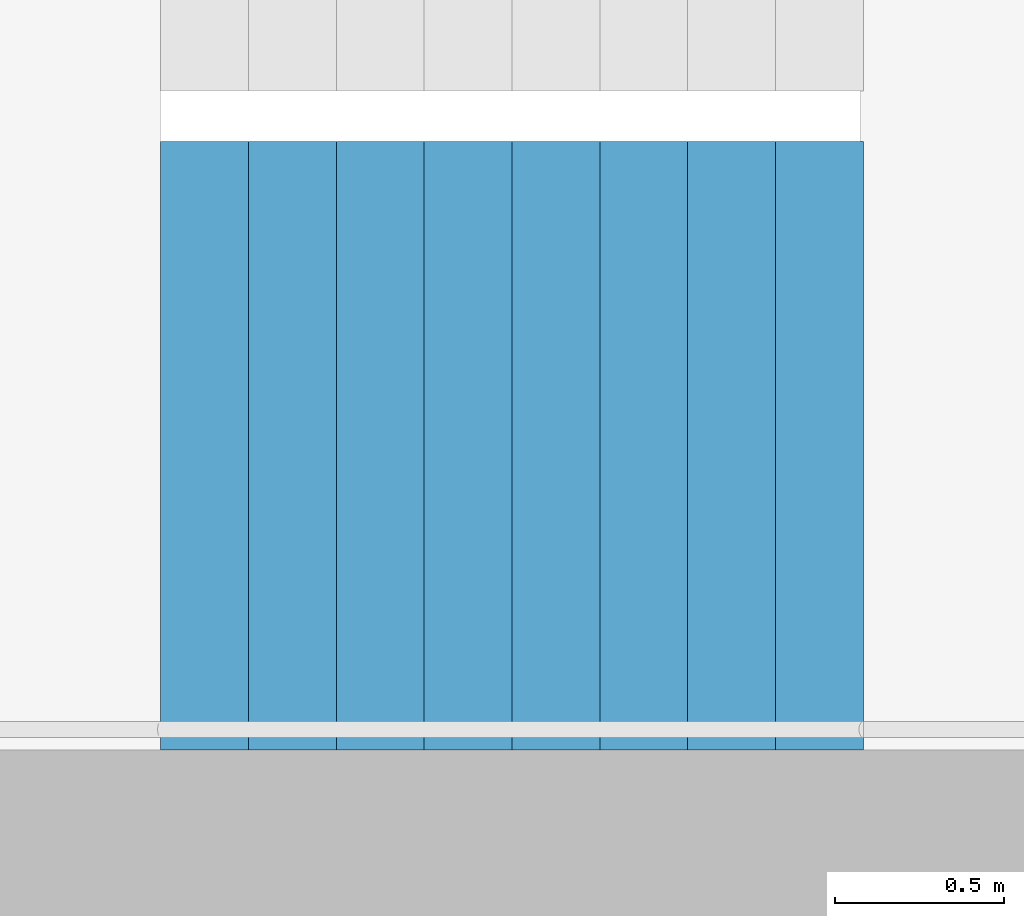
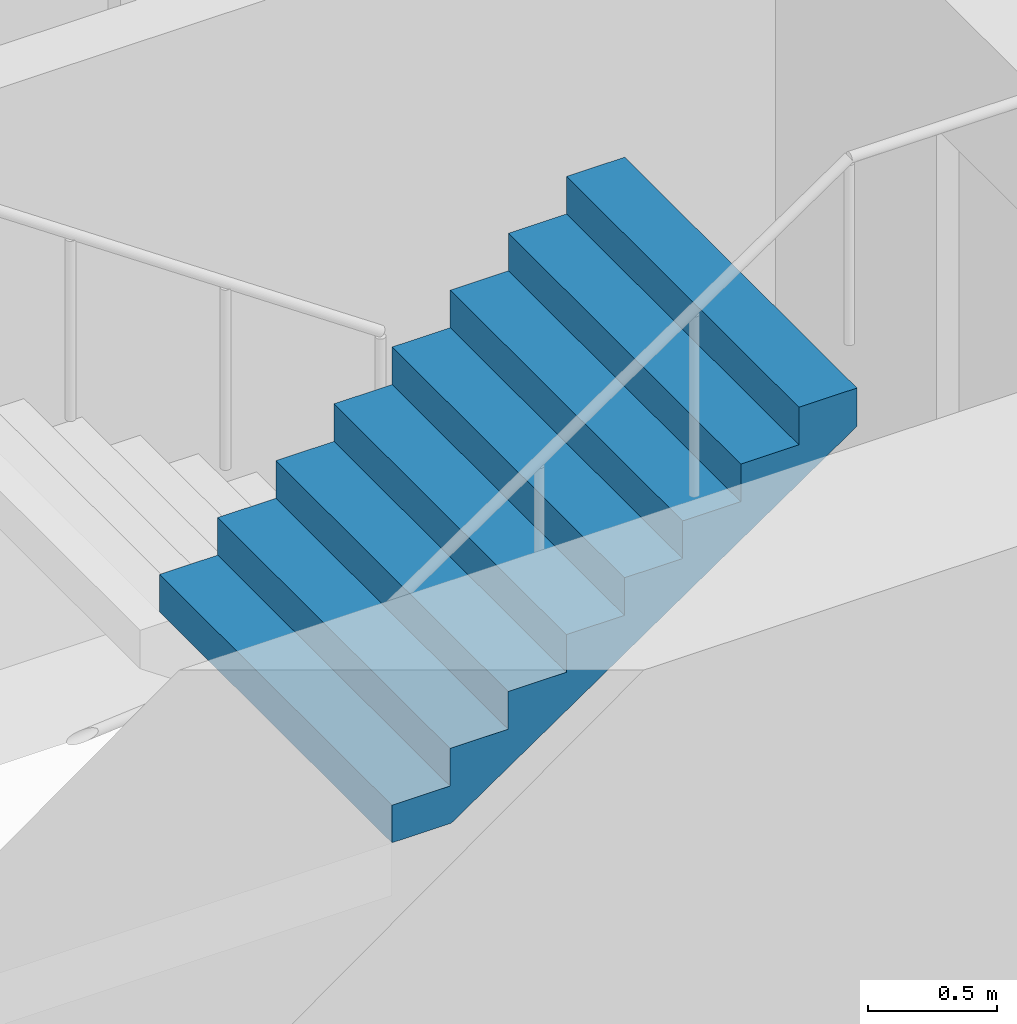
# One storey, part 17 of 29: 1 stair flight, 1 element without a shape of its own.
"""IFC4 building model written with IfcOpenShell, lengths in metres."""

from ifc_helpers import new_model, si_unit, direction, frame, origin, place, context, subcontext, project, spatial, triangles, material, type_object, element, aggregate, save


model = new_model("IFC4")

# Units and contexts
model_context = context("Model", 3, precision=1e-05, world=origin(), true_north=direction((0.0, 1.0)))
body_context = subcontext(model_context, "Body", "Model", "MODEL_VIEW")
ifc_project = project(units=[si_unit("LENGTHUNIT", "METRE"), si_unit("AREAUNIT", "SQUARE_METRE"), si_unit("VOLUMEUNIT", "CUBIC_METRE"), si_unit("PLANEANGLEUNIT", "RADIAN"), si_unit("MASSUNIT", "GRAM", prefix="KILO")], contexts=[model_context])

# Site, building, storey
site_placement = place(None, origin())
site = spatial("IfcSite", under=ifc_project, at=site_placement, CompositionType="ELEMENT")
building_placement = place(site_placement, origin())
building = spatial("IfcBuilding", under=site, at=building_placement, Name="Hakoniwa Tower and Hamabe Station Hall", CompositionType="ELEMENT")
storey_placement = place(building_placement, frame((0.0, 0.0, 205.800048828125)))
storey = spatial("IfcBuildingStorey", under=building, at=storey_placement, Name="L58", CompositionType="ELEMENT", Elevation=205.800048828125)

# Stair, stair flight
ifc_material_1 = material(Name="Concrete C40", Category="concrete")
stair_type = type_object("IfcStairType", Name="ESCAPE STAIR 1800", PredefinedType="HALF_TURN_STAIR", material=ifc_material_1)
stair_placement = place(storey_placement, origin())
stair = element("IfcStair", 1, at=stair_placement, inside=storey, type_object=stair_type, Name="Escape stair ST-2 L58", PredefinedType="HALF_TURN_STAIR")
ifc_material_2 = material(Name="Concrete C40", Category="concrete")
stair_flight_type = type_object("IfcStairFlightType", Name="STAIR FLIGHT 1800", PredefinedType="STRAIGHT", material=ifc_material_2)
stair_flight_placement = place(storey_placement, frame((-25.47998046875, -6.60009765625, 1.599853515625), z_axis=(0.0, 0.0, 1.0), x_axis=(1.0, 0.0, 0.0)))
stair_flight = element("IfcStairFlight", 2, at=stair_flight_placement, type_object=stair_flight_type, Name="ST-2 flight 2", NumberOfRisers=9, NumberOfTreads=8, PredefinedType="STRAIGHT", RiserHeight=0.177777778, TreadLength=0.26, context=body_context, shape_type="Tessellation", body=[
    triangles([(0.0, 0.89990234375, 0.0), (0.260009765625, 0.89990234375, 0.0), (0.265625, 0.89990234375, 0.0), (0.52001953125, 0.89990234375, 0.174072265625), (0.780029296875, 0.89990234375, 0.351806640625), (1.0400390625, 0.89990234375, 0.529541015625), (1.300048828125, 0.89990234375, 0.707275390625), (1.56005859375, 0.89990234375, 0.885009765625), (1.820068359375, 0.89990234375, 1.062744140625), (2.080078125, 0.89990234375, 1.24072265625), (2.080078125, 0.89990234375, 1.422119140625), (1.820068359375, 0.89990234375, 1.422119140625), (1.820068359375, 0.89990234375, 1.244384765625), (1.56005859375, 0.89990234375, 1.244384765625), (1.56005859375, 0.89990234375, 1.066650390625), (1.300048828125, 0.89990234375, 1.066650390625), (1.300048828125, 0.89990234375, 0.888916015625), (1.0400390625, 0.89990234375, 0.888916015625), (1.0400390625, 0.89990234375, 0.711181640625), (0.780029296875, 0.89990234375, 0.711181640625), (0.780029296875, 0.89990234375, 0.533447265625), (0.52001953125, 0.89990234375, 0.533447265625), (0.52001953125, 0.89990234375, 0.35546875), (0.265625, 0.89990234375, 0.35546875), (0.260009765625, 0.89990234375, 0.35546875), (0.260009765625, 0.89990234375, 0.177734375), (0.0, 0.89990234375, 0.177734375), (0.0, 0.06005859375, 0.0), (0.260009765625, 0.06005859375, 0.0), (0.265625, 0.06005859375, 0.0), (0.52001953125, 0.06005859375, 0.174072265625), (0.780029296875, 0.06005859375, 0.351806640625), (1.0400390625, 0.06005859375, 0.529541015625), (1.300048828125, 0.06005859375, 0.707275390625), (1.56005859375, 0.06005859375, 0.885009765625), (1.820068359375, 0.06005859375, 1.062744140625), (2.080078125, 0.06005859375, 1.24072265625), (2.080078125, 0.06005859375, 1.422119140625), (1.820068359375, 0.06005859375, 1.422119140625), (1.820068359375, 0.06005859375, 1.244384765625), (1.56005859375, 0.06005859375, 1.244384765625), (1.56005859375, 0.06005859375, 1.066650390625), (1.300048828125, 0.06005859375, 1.066650390625), (1.300048828125, 0.06005859375, 0.888916015625), (1.0400390625, 0.06005859375, 0.888916015625), (1.0400390625, 0.06005859375, 0.711181640625), (0.780029296875, 0.06005859375, 0.711181640625), (0.780029296875, 0.06005859375, 0.533447265625), (0.52001953125, 0.06005859375, 0.533447265625), (0.52001953125, 0.06005859375, 0.35546875), (0.265625, 0.06005859375, 0.35546875), (0.260009765625, 0.06005859375, 0.35546875), (0.260009765625, 0.06005859375, 0.177734375), (0.0, 0.06005859375, 0.177734375), (0.0, 0.04296875, 0.0), (0.260009765625, 0.04296875, 0.0), (0.265625, 0.04296875, 0.0), (0.52001953125, 0.04296875, 0.174072265625), (0.780029296875, 0.04296875, 0.351806640625), (1.0400390625, 0.04296875, 0.529541015625), (1.300048828125, 0.04296875, 0.707275390625), (1.56005859375, 0.04296875, 0.885009765625), (1.820068359375, 0.04296875, 1.062744140625), (2.080078125, 0.04296875, 1.24072265625), (2.080078125, 0.04296875, 1.422119140625), (1.820068359375, 0.04296875, 1.422119140625), (1.820068359375, 0.04296875, 1.244384765625), (1.56005859375, 0.04296875, 1.244384765625), (1.56005859375, 0.04296875, 1.066650390625), (1.300048828125, 0.04296875, 1.066650390625), (1.300048828125, 0.04296875, 0.888916015625), (1.0400390625, 0.04296875, 0.888916015625), (1.0400390625, 0.04296875, 0.711181640625), (0.780029296875, 0.04296875, 0.711181640625), (0.780029296875, 0.04296875, 0.533447265625), (0.52001953125, 0.04296875, 0.533447265625), (0.52001953125, 0.04296875, 0.35546875), (0.265625, 0.04296875, 0.35546875), (0.260009765625, 0.04296875, 0.35546875), (0.260009765625, 0.04296875, 0.177734375), (0.0, 0.04296875, 0.177734375), (0.0, 0.025634765625, 0.0), (0.260009765625, 0.025634765625, 0.0), (0.265625, 0.025634765625, 0.0), (0.52001953125, 0.025634765625, 0.174072265625), (0.780029296875, 0.025634765625, 0.351806640625), (1.0400390625, 0.025634765625, 0.529541015625), (1.300048828125, 0.025634765625, 0.707275390625), (1.56005859375, 0.025634765625, 0.885009765625), (1.820068359375, 0.025634765625, 1.062744140625), (2.080078125, 0.025634765625, 1.24072265625), (2.080078125, 0.025634765625, 1.422119140625), (1.820068359375, 0.025634765625, 1.422119140625), (1.820068359375, 0.025634765625, 1.244384765625), (1.56005859375, 0.025634765625, 1.244384765625), (1.56005859375, 0.025634765625, 1.066650390625), (1.300048828125, 0.025634765625, 1.066650390625), (1.300048828125, 0.025634765625, 0.888916015625), (1.0400390625, 0.025634765625, 0.888916015625), (1.0400390625, 0.025634765625, 0.711181640625), (0.780029296875, 0.025634765625, 0.711181640625), (0.780029296875, 0.025634765625, 0.533447265625), (0.52001953125, 0.025634765625, 0.533447265625), (0.52001953125, 0.025634765625, 0.35546875), (0.265625, 0.025634765625, 0.35546875), (0.260009765625, 0.025634765625, 0.35546875), (0.260009765625, 0.025634765625, 0.177734375), (0.0, 0.025634765625, 0.177734375), (0.0, 0.008544921875, 0.0), (0.260009765625, 0.008544921875, 0.0), (0.265625, 0.008544921875, 0.0), (0.52001953125, 0.008544921875, 0.174072265625), (0.780029296875, 0.008544921875, 0.351806640625), (1.0400390625, 0.008544921875, 0.529541015625), (1.300048828125, 0.008544921875, 0.707275390625), (1.56005859375, 0.008544921875, 0.885009765625), (1.820068359375, 0.008544921875, 1.062744140625), (2.080078125, 0.008544921875, 1.24072265625), (2.080078125, 0.008544921875, 1.422119140625), (1.820068359375, 0.008544921875, 1.422119140625), (1.820068359375, 0.008544921875, 1.244384765625), (1.56005859375, 0.008544921875, 1.244384765625), (1.56005859375, 0.008544921875, 1.066650390625), (1.300048828125, 0.008544921875, 1.066650390625), (1.300048828125, 0.008544921875, 0.888916015625), (1.0400390625, 0.008544921875, 0.888916015625), (1.0400390625, 0.008544921875, 0.711181640625), (0.780029296875, 0.008544921875, 0.711181640625), (0.780029296875, 0.008544921875, 0.533447265625), (0.52001953125, 0.008544921875, 0.533447265625), (0.52001953125, 0.008544921875, 0.35546875), (0.265625, 0.008544921875, 0.35546875), (0.260009765625, 0.008544921875, 0.35546875), (0.260009765625, 0.008544921875, 0.177734375), (0.0, 0.008544921875, 0.177734375), (0.0, -0.008544921875, 0.0), (0.260009765625, -0.008544921875, 0.0), (0.265625, -0.008544921875, 0.0), (0.52001953125, -0.008544921875, 0.174072265625), (0.780029296875, -0.008544921875, 0.351806640625), (1.0400390625, -0.008544921875, 0.529541015625), (1.300048828125, -0.008544921875, 0.707275390625), (1.56005859375, -0.008544921875, 0.885009765625), (1.820068359375, -0.008544921875, 1.062744140625), (2.080078125, -0.008544921875, 1.24072265625), (2.080078125, -0.008544921875, 1.422119140625), (1.820068359375, -0.008544921875, 1.422119140625), (1.820068359375, -0.008544921875, 1.244384765625), (1.56005859375, -0.008544921875, 1.244384765625), (1.56005859375, -0.008544921875, 1.066650390625), (1.300048828125, -0.008544921875, 1.066650390625), (1.300048828125, -0.008544921875, 0.888916015625), (1.0400390625, -0.008544921875, 0.888916015625), (1.0400390625, -0.008544921875, 0.711181640625), (0.780029296875, -0.008544921875, 0.711181640625), (0.780029296875, -0.008544921875, 0.533447265625), (0.52001953125, -0.008544921875, 0.533447265625), (0.52001953125, -0.008544921875, 0.35546875), (0.265625, -0.008544921875, 0.35546875), (0.260009765625, -0.008544921875, 0.35546875), (0.260009765625, -0.008544921875, 0.177734375), (0.0, -0.008544921875, 0.177734375), (0.0, -0.025634765625, 0.0), (0.260009765625, -0.025634765625, 0.0), (0.265625, -0.025634765625, 0.0), (0.52001953125, -0.025634765625, 0.174072265625), (0.780029296875, -0.025634765625, 0.351806640625), (1.0400390625, -0.025634765625, 0.529541015625), (1.300048828125, -0.025634765625, 0.707275390625), (1.56005859375, -0.025634765625, 0.885009765625), (1.820068359375, -0.025634765625, 1.062744140625), (2.080078125, -0.025634765625, 1.24072265625), (2.080078125, -0.025634765625, 1.422119140625), (1.820068359375, -0.025634765625, 1.422119140625), (1.820068359375, -0.025634765625, 1.244384765625), (1.56005859375, -0.025634765625, 1.244384765625), (1.56005859375, -0.025634765625, 1.066650390625), (1.300048828125, -0.025634765625, 1.066650390625), (1.300048828125, -0.025634765625, 0.888916015625), (1.0400390625, -0.025634765625, 0.888916015625), (1.0400390625, -0.025634765625, 0.711181640625), (0.780029296875, -0.025634765625, 0.711181640625), (0.780029296875, -0.025634765625, 0.533447265625), (0.52001953125, -0.025634765625, 0.533447265625), (0.52001953125, -0.025634765625, 0.35546875), (0.265625, -0.025634765625, 0.35546875), (0.260009765625, -0.025634765625, 0.35546875), (0.260009765625, -0.025634765625, 0.177734375), (0.0, -0.025634765625, 0.177734375), (0.0, -0.04296875, 0.0), (0.260009765625, -0.04296875, 0.0), (0.265625, -0.04296875, 0.0), (0.52001953125, -0.04296875, 0.174072265625), (0.780029296875, -0.04296875, 0.351806640625), (1.0400390625, -0.04296875, 0.529541015625), (1.300048828125, -0.04296875, 0.707275390625), (1.56005859375, -0.04296875, 0.885009765625), (1.820068359375, -0.04296875, 1.062744140625), (2.080078125, -0.04296875, 1.24072265625), (2.080078125, -0.04296875, 1.422119140625), (1.820068359375, -0.04296875, 1.422119140625), (1.820068359375, -0.04296875, 1.244384765625), (1.56005859375, -0.04296875, 1.244384765625), (1.56005859375, -0.04296875, 1.066650390625), (1.300048828125, -0.04296875, 1.066650390625), (1.300048828125, -0.04296875, 0.888916015625), (1.0400390625, -0.04296875, 0.888916015625), (1.0400390625, -0.04296875, 0.711181640625), (0.780029296875, -0.04296875, 0.711181640625), (0.780029296875, -0.04296875, 0.533447265625), (0.52001953125, -0.04296875, 0.533447265625), (0.52001953125, -0.04296875, 0.35546875), (0.265625, -0.04296875, 0.35546875), (0.260009765625, -0.04296875, 0.35546875), (0.260009765625, -0.04296875, 0.177734375), (0.0, -0.04296875, 0.177734375), (0.0, -0.06005859375, 0.0), (0.260009765625, -0.06005859375, 0.0), (0.265625, -0.06005859375, 0.0), (0.52001953125, -0.06005859375, 0.174072265625), (0.780029296875, -0.06005859375, 0.351806640625), (1.0400390625, -0.06005859375, 0.529541015625), (1.300048828125, -0.06005859375, 0.707275390625), (1.56005859375, -0.06005859375, 0.885009765625), (1.820068359375, -0.06005859375, 1.062744140625), (2.080078125, -0.06005859375, 1.24072265625), (2.080078125, -0.06005859375, 1.422119140625), (1.820068359375, -0.06005859375, 1.422119140625), (1.820068359375, -0.06005859375, 1.244384765625), (1.56005859375, -0.06005859375, 1.244384765625), (1.56005859375, -0.06005859375, 1.066650390625), (1.300048828125, -0.06005859375, 1.066650390625), (1.300048828125, -0.06005859375, 0.888916015625), (1.0400390625, -0.06005859375, 0.888916015625), (1.0400390625, -0.06005859375, 0.711181640625), (0.780029296875, -0.06005859375, 0.711181640625), (0.780029296875, -0.06005859375, 0.533447265625), (0.52001953125, -0.06005859375, 0.533447265625), (0.52001953125, -0.06005859375, 0.35546875), (0.265625, -0.06005859375, 0.35546875), (0.260009765625, -0.06005859375, 0.35546875), (0.260009765625, -0.06005859375, 0.177734375), (0.0, -0.06005859375, 0.177734375), (0.0, -0.89990234375, 0.0), (0.260009765625, -0.89990234375, 0.0), (0.265625, -0.89990234375, 0.0), (0.52001953125, -0.89990234375, 0.174072265625), (0.780029296875, -0.89990234375, 0.351806640625), (1.0400390625, -0.89990234375, 0.529541015625), (1.300048828125, -0.89990234375, 0.707275390625), (1.56005859375, -0.89990234375, 0.885009765625), (1.820068359375, -0.89990234375, 1.062744140625), (2.080078125, -0.89990234375, 1.24072265625), (2.080078125, -0.89990234375, 1.422119140625), (1.820068359375, -0.89990234375, 1.422119140625), (1.820068359375, -0.89990234375, 1.244384765625), (1.56005859375, -0.89990234375, 1.244384765625), (1.56005859375, -0.89990234375, 1.066650390625), (1.300048828125, -0.89990234375, 1.066650390625), (1.300048828125, -0.89990234375, 0.888916015625), (1.0400390625, -0.89990234375, 0.888916015625), (1.0400390625, -0.89990234375, 0.711181640625), (0.780029296875, -0.89990234375, 0.711181640625), (0.780029296875, -0.89990234375, 0.533447265625), (0.52001953125, -0.89990234375, 0.533447265625), (0.52001953125, -0.89990234375, 0.35546875), (0.265625, -0.89990234375, 0.35546875), (0.260009765625, -0.89990234375, 0.35546875), (0.260009765625, -0.89990234375, 0.177734375), (0.0, -0.89990234375, 0.177734375)], [[2, 27, 26], [245, 269, 270], [2, 1, 27], [245, 270, 244], [3, 25, 24], [246, 267, 268], [3, 26, 25], [246, 268, 269], [3, 2, 26], [246, 269, 245], [4, 24, 23], [247, 266, 267], [4, 3, 24], [247, 267, 246], [5, 22, 21], [248, 264, 265], [5, 23, 22], [248, 265, 266], [5, 4, 23], [248, 266, 247], [6, 20, 19], [249, 262, 263], [6, 21, 20], [249, 263, 264], [6, 5, 21], [249, 264, 248], [7, 18, 17], [250, 260, 261], [7, 19, 18], [250, 261, 262], [7, 6, 19], [250, 262, 249], [8, 16, 15], [251, 258, 259], [8, 17, 16], [251, 259, 260], [8, 7, 17], [251, 260, 250], [9, 14, 13], [252, 256, 257], [9, 15, 14], [252, 257, 258], [9, 8, 15], [252, 258, 251], [10, 12, 11], [253, 254, 255], [10, 13, 12], [253, 255, 256], [10, 9, 13], [253, 256, 252], [1, 2, 29], [1, 29, 28], [28, 29, 56], [28, 56, 55], [55, 56, 83], [55, 83, 82], [82, 83, 110], [82, 110, 109], [109, 110, 137], [109, 137, 136], [136, 137, 164], [136, 164, 163], [163, 164, 191], [163, 191, 190], [190, 191, 218], [190, 218, 217], [217, 218, 245], [217, 245, 244], [2, 3, 30], [2, 30, 29], [29, 30, 57], [29, 57, 56], [56, 57, 84], [56, 84, 83], [83, 84, 111], [83, 111, 110], [110, 111, 138], [110, 138, 137], [137, 138, 165], [137, 165, 164], [164, 165, 192], [164, 192, 191], [191, 192, 219], [191, 219, 218], [218, 219, 246], [218, 246, 245], [3, 4, 31], [3, 31, 30], [30, 31, 58], [30, 58, 57], [57, 58, 85], [57, 85, 84], [84, 85, 112], [84, 112, 111], [111, 112, 139], [111, 139, 138], [138, 139, 166], [138, 166, 165], [165, 166, 193], [165, 193, 192], [192, 193, 220], [192, 220, 219], [219, 220, 247], [219, 247, 246], [4, 5, 32], [4, 32, 31], [31, 32, 59], [31, 59, 58], [58, 59, 86], [58, 86, 85], [85, 86, 113], [85, 113, 112], [112, 113, 140], [112, 140, 139], [139, 140, 167], [139, 167, 166], [166, 167, 194], [166, 194, 193], [193, 194, 221], [193, 221, 220], [220, 221, 248], [220, 248, 247], [5, 6, 33], [5, 33, 32], [32, 33, 60], [32, 60, 59], [59, 60, 87], [59, 87, 86], [86, 87, 114], [86, 114, 113], [113, 114, 141], [113, 141, 140], [140, 141, 168], [140, 168, 167], [167, 168, 195], [167, 195, 194], [194, 195, 222], [194, 222, 221], [221, 222, 249], [221, 249, 248], [6, 7, 34], [6, 34, 33], [33, 34, 61], [33, 61, 60], [60, 61, 88], [60, 88, 87], [87, 88, 115], [87, 115, 114], [114, 115, 142], [114, 142, 141], [141, 142, 169], [141, 169, 168], [168, 169, 196], [168, 196, 195], [195, 196, 223], [195, 223, 222], [222, 223, 250], [222, 250, 249], [7, 8, 35], [7, 35, 34], [34, 35, 62], [34, 62, 61], [61, 62, 89], [61, 89, 88], [88, 89, 116], [88, 116, 115], [115, 116, 143], [115, 143, 142], [142, 143, 170], [142, 170, 169], [169, 170, 197], [169, 197, 196], [196, 197, 224], [196, 224, 223], [223, 224, 251], [223, 251, 250], [8, 9, 36], [8, 36, 35], [35, 36, 63], [35, 63, 62], [62, 63, 90], [62, 90, 89], [89, 90, 117], [89, 117, 116], [116, 117, 144], [116, 144, 143], [143, 144, 171], [143, 171, 170], [170, 171, 198], [170, 198, 197], [197, 198, 225], [197, 225, 224], [224, 225, 252], [224, 252, 251], [9, 10, 37], [9, 37, 36], [36, 37, 64], [36, 64, 63], [63, 64, 91], [63, 91, 90], [90, 91, 118], [90, 118, 117], [117, 118, 145], [117, 145, 144], [144, 145, 172], [144, 172, 171], [171, 172, 199], [171, 199, 198], [198, 199, 226], [198, 226, 225], [225, 226, 253], [225, 253, 252], [10, 11, 38], [10, 38, 37], [37, 38, 65], [37, 65, 64], [64, 65, 92], [64, 92, 91], [91, 92, 119], [91, 119, 118], [118, 119, 146], [118, 146, 145], [145, 146, 173], [145, 173, 172], [172, 173, 200], [172, 200, 199], [199, 200, 227], [199, 227, 226], [226, 227, 254], [226, 254, 253], [11, 12, 39], [11, 39, 38], [38, 39, 66], [38, 66, 65], [65, 66, 93], [65, 93, 92], [92, 93, 120], [92, 120, 119], [119, 120, 147], [119, 147, 146], [146, 147, 174], [146, 174, 173], [173, 174, 201], [173, 201, 200], [200, 201, 228], [200, 228, 227], [227, 228, 255], [227, 255, 254], [12, 13, 40], [12, 40, 39], [39, 40, 67], [39, 67, 66], [66, 67, 94], [66, 94, 93], [93, 94, 121], [93, 121, 120], [120, 121, 148], [120, 148, 147], [147, 148, 175], [147, 175, 174], [174, 175, 202], [174, 202, 201], [201, 202, 229], [201, 229, 228], [228, 229, 256], [228, 256, 255], [13, 14, 41], [13, 41, 40], [40, 41, 68], [40, 68, 67], [67, 68, 95], [67, 95, 94], [94, 95, 122], [94, 122, 121], [121, 122, 149], [121, 149, 148], [148, 149, 176], [148, 176, 175], [175, 176, 203], [175, 203, 202], [202, 203, 230], [202, 230, 229], [229, 230, 257], [229, 257, 256], [14, 15, 42], [14, 42, 41], [41, 42, 69], [41, 69, 68], [68, 69, 96], [68, 96, 95], [95, 96, 123], [95, 123, 122], [122, 123, 150], [122, 150, 149], [149, 150, 177], [149, 177, 176], [176, 177, 204], [176, 204, 203], [203, 204, 231], [203, 231, 230], [230, 231, 258], [230, 258, 257], [15, 16, 43], [15, 43, 42], [42, 43, 70], [42, 70, 69], [69, 70, 97], [69, 97, 96], [96, 97, 124], [96, 124, 123], [123, 124, 151], [123, 151, 150], [150, 151, 178], [150, 178, 177], [177, 178, 205], [177, 205, 204], [204, 205, 232], [204, 232, 231], [231, 232, 259], [231, 259, 258], [16, 17, 44], [16, 44, 43], [43, 44, 71], [43, 71, 70], [70, 71, 98], [70, 98, 97], [97, 98, 125], [97, 125, 124], [124, 125, 152], [124, 152, 151], [151, 152, 179], [151, 179, 178], [178, 179, 206], [178, 206, 205], [205, 206, 233], [205, 233, 232], [232, 233, 260], [232, 260, 259], [17, 18, 45], [17, 45, 44], [44, 45, 72], [44, 72, 71], [71, 72, 99], [71, 99, 98], [98, 99, 126], [98, 126, 125], [125, 126, 153], [125, 153, 152], [152, 153, 180], [152, 180, 179], [179, 180, 207], [179, 207, 206], [206, 207, 234], [206, 234, 233], [233, 234, 261], [233, 261, 260], [18, 19, 46], [18, 46, 45], [45, 46, 73], [45, 73, 72], [72, 73, 100], [72, 100, 99], [99, 100, 127], [99, 127, 126], [126, 127, 154], [126, 154, 153], [153, 154, 181], [153, 181, 180], [180, 181, 208], [180, 208, 207], [207, 208, 235], [207, 235, 234], [234, 235, 262], [234, 262, 261], [19, 20, 47], [19, 47, 46], [46, 47, 74], [46, 74, 73], [73, 74, 101], [73, 101, 100], [100, 101, 128], [100, 128, 127], [127, 128, 155], [127, 155, 154], [154, 155, 182], [154, 182, 181], [181, 182, 209], [181, 209, 208], [208, 209, 236], [208, 236, 235], [235, 236, 263], [235, 263, 262], [20, 21, 48], [20, 48, 47], [47, 48, 75], [47, 75, 74], [74, 75, 102], [74, 102, 101], [101, 102, 129], [101, 129, 128], [128, 129, 156], [128, 156, 155], [155, 156, 183], [155, 183, 182], [182, 183, 210], [182, 210, 209], [209, 210, 237], [209, 237, 236], [236, 237, 264], [236, 264, 263], [21, 22, 49], [21, 49, 48], [48, 49, 76], [48, 76, 75], [75, 76, 103], [75, 103, 102], [102, 103, 130], [102, 130, 129], [129, 130, 157], [129, 157, 156], [156, 157, 184], [156, 184, 183], [183, 184, 211], [183, 211, 210], [210, 211, 238], [210, 238, 237], [237, 238, 265], [237, 265, 264], [22, 23, 50], [22, 50, 49], [49, 50, 77], [49, 77, 76], [76, 77, 104], [76, 104, 103], [103, 104, 131], [103, 131, 130], [130, 131, 158], [130, 158, 157], [157, 158, 185], [157, 185, 184], [184, 185, 212], [184, 212, 211], [211, 212, 239], [211, 239, 238], [238, 239, 266], [238, 266, 265], [23, 24, 51], [23, 51, 50], [50, 51, 78], [50, 78, 77], [77, 78, 105], [77, 105, 104], [104, 105, 132], [104, 132, 131], [131, 132, 159], [131, 159, 158], [158, 159, 186], [158, 186, 185], [185, 186, 213], [185, 213, 212], [212, 213, 240], [212, 240, 239], [239, 240, 267], [239, 267, 266], [24, 25, 52], [24, 52, 51], [51, 52, 79], [51, 79, 78], [78, 79, 106], [78, 106, 105], [105, 106, 133], [105, 133, 132], [132, 133, 160], [132, 160, 159], [159, 160, 187], [159, 187, 186], [186, 187, 214], [186, 214, 213], [213, 214, 241], [213, 241, 240], [240, 241, 268], [240, 268, 267], [25, 26, 53], [25, 53, 52], [52, 53, 80], [52, 80, 79], [79, 80, 107], [79, 107, 106], [106, 107, 134], [106, 134, 133], [133, 134, 161], [133, 161, 160], [160, 161, 188], [160, 188, 187], [187, 188, 215], [187, 215, 214], [214, 215, 242], [214, 242, 241], [241, 242, 269], [241, 269, 268], [26, 27, 54], [26, 54, 53], [53, 54, 81], [53, 81, 80], [80, 81, 108], [80, 108, 107], [107, 108, 135], [107, 135, 134], [134, 135, 162], [134, 162, 161], [161, 162, 189], [161, 189, 188], [188, 189, 216], [188, 216, 215], [215, 216, 243], [215, 243, 242], [242, 243, 270], [242, 270, 269], [27, 1, 28], [27, 28, 54], [54, 28, 55], [54, 55, 81], [81, 55, 82], [81, 82, 108], [108, 82, 109], [108, 109, 135], [135, 109, 136], [135, 136, 162], [162, 136, 163], [162, 163, 189], [189, 163, 190], [189, 190, 216], [216, 190, 217], [216, 217, 243], [243, 217, 244], [243, 244, 270]], closed=True),
])
aggregate(stair, [stair_flight])

save(model, "model.ifc")
